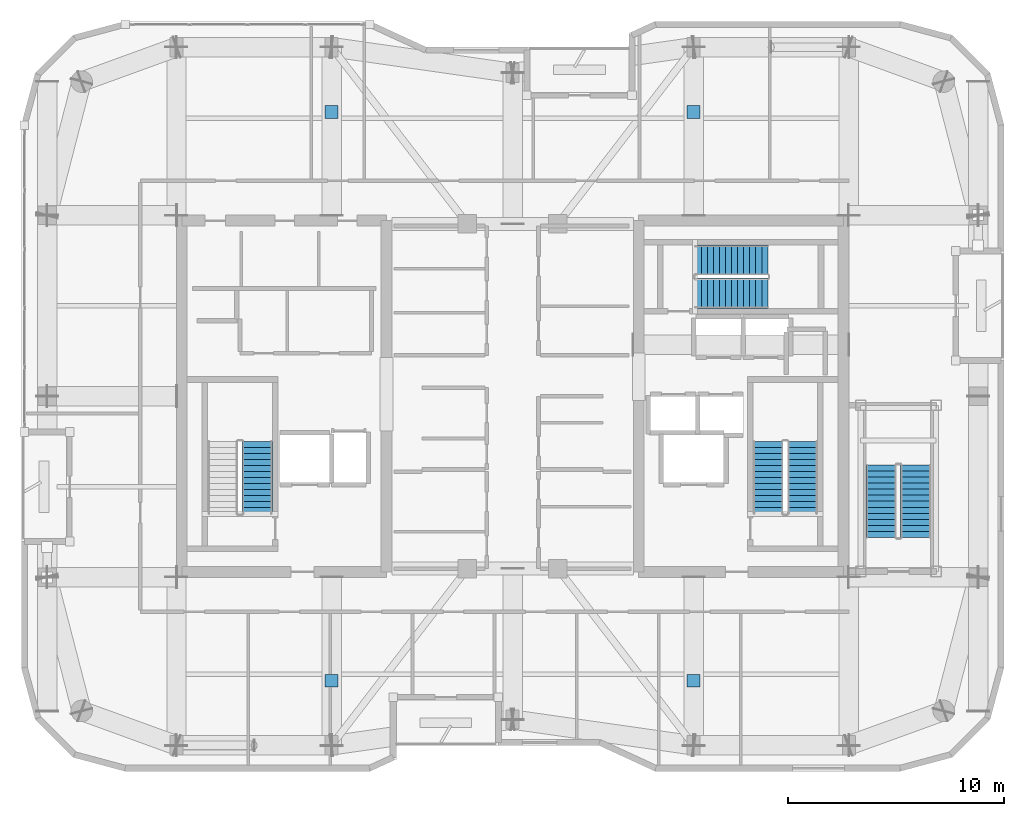
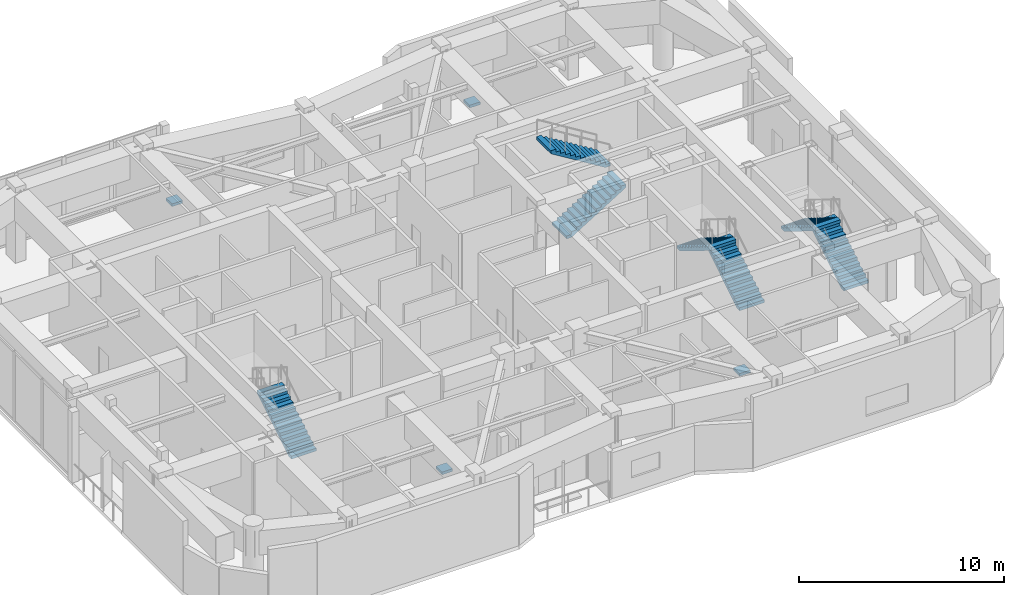
# One storey, part 15 of 17: 7 stair flights, 4 discrete accessories, 4 elements without a shape of their own.
"""IFC4 building model written with IfcOpenShell, lengths in metres."""

from ifc_helpers import new_model, si_unit, direction, frame, origin, origin_2d, place, context, subcontext, project, spatial, polyline, rectangle, outline, extrude, material, type_object, element, aggregate, save


model = new_model("IFC4")

# Units and contexts
model_context = context("Model", 3, precision=1e-05, world=origin(), true_north=direction((0.0, 1.0)))
body_context = subcontext(model_context, "Body", "Model", "MODEL_VIEW")
ifc_project = project(units=[si_unit("LENGTHUNIT", "METRE"), si_unit("AREAUNIT", "SQUARE_METRE"), si_unit("VOLUMEUNIT", "CUBIC_METRE"), si_unit("PLANEANGLEUNIT", "RADIAN"), si_unit("MASSUNIT", "GRAM", prefix="KILO")], contexts=[model_context])

# Site, building, storey
site_placement = place(None, origin())
site = spatial("IfcSite", under=ifc_project, at=site_placement, CompositionType="ELEMENT")
building_placement = place(site_placement, origin())
building = spatial("IfcBuilding", under=site, at=building_placement, Name="Kiyonajd Concourse Tower", CompositionType="ELEMENT")
storey_placement = place(building_placement, frame((0.0, 0.0, 350.39990234375)))
storey = spatial("IfcBuildingStorey", under=building, at=storey_placement, Name="L88", CompositionType="ELEMENT", Elevation=350.39990234375)

# Stair, stair flight
ifc_material_1 = material(Name="Concrete C40/50", Category="concrete")
stair_type = type_object("IfcStairType", Name="ST-DLG-26R", PredefinedType="HALF_TURN_STAIR", material=ifc_material_1)
stair_1_placement = place(storey_placement, origin())
stair_1 = element("IfcStair", 1, at=stair_1_placement, inside=storey, type_object=stair_type, Name="L88 Protected Exit Stair ST1", PredefinedType="HALF_TURN_STAIR")
stair_flight_type = type_object("IfcStairFlightType", Name="SF-STR-26R", PredefinedType="STRAIGHT", material=ifc_material_1)
stair_flight_1_placement = place(storey_placement, frame((36.14990234375, 30.550048828125, 0.0), z_axis=(0.0, 0.0, 1.0), x_axis=(0.0, 1.0, 0.0)))
stair_flight_1 = element("IfcStairFlight", 2, at=stair_flight_1_placement, type_object=stair_flight_type, Name="ST1 flight 1", NumberOfRisers=13, NumberOfTreads=12, PredefinedType="STRAIGHT", RiserHeight=0.173076923, TreadLength=0.28, context=body_context, shape_type="SweptSolid", body=[
    extrude(outline(polyline([(0.0, 0.0), (0.0, 0.173095703125), (0.280029296875, 0.173095703125), (0.280029296875, 0.34619140625), (0.56005859375, 0.34619140625), (0.56005859375, 0.519287109375), (0.840087890625, 0.519287109375), (0.840087890625, 0.6923828125), (1.1201171875, 0.6923828125), (1.1201171875, 0.865478515625), (1.39990234375, 0.865478515625), (1.39990234375, 1.03857421875), (1.679931640625, 1.03857421875), (1.679931640625, 1.21142578125), (1.9599609375, 1.21142578125), (1.9599609375, 1.384521484375), (2.239990234375, 1.384521484375), (2.239990234375, 1.5576171875), (2.52001953125, 1.5576171875), (2.52001953125, 1.730712890625), (2.800048828125, 1.730712890625), (2.800048828125, 1.90380859375), (3.080078125, 1.90380859375), (3.080078125, 2.076904296875), (3.360107421875, 2.076904296875), (3.360107421875, 2.25), (3.360107421875, 1.900634765625), (0.28515625, 0.0), (0.0, 0.0)])), frame((0.0, 0.699951171875, 0.0), z_axis=(0.0, -1.0, 0.0), x_axis=(1.0, 0.0, 0.0)), (0.0, 0.0, 1.0), 1.39990234375),
])
aggregate(stair_1, [stair_flight_1])

# Stair, stair flights
stair_2_placement = place(storey_placement, origin())
stair_2 = element("IfcStair", 3, at=stair_2_placement, inside=storey, type_object=stair_type, Name="L88 Protected Exit Stair ST2", PredefinedType="HALF_TURN_STAIR")
stair_flight_2_placement = place(storey_placement, frame((61.449951171875, 30.550048828125, 0.0), z_axis=(0.0, 0.0, 1.0), x_axis=(0.0, 1.0, 0.0)))
stair_flight_2 = element("IfcStairFlight", 4, at=stair_flight_2_placement, type_object=stair_flight_type, Name="ST2 flight 1", NumberOfRisers=13, NumberOfTreads=12, PredefinedType="STRAIGHT", RiserHeight=0.173076923, TreadLength=0.28, context=body_context, shape_type="SweptSolid", body=[
    extrude(outline(polyline([(0.0, 0.0), (0.0, 0.173095703125), (0.280029296875, 0.173095703125), (0.280029296875, 0.34619140625), (0.56005859375, 0.34619140625), (0.56005859375, 0.519287109375), (0.840087890625, 0.519287109375), (0.840087890625, 0.6923828125), (1.1201171875, 0.6923828125), (1.1201171875, 0.865478515625), (1.39990234375, 0.865478515625), (1.39990234375, 1.03857421875), (1.679931640625, 1.03857421875), (1.679931640625, 1.21142578125), (1.9599609375, 1.21142578125), (1.9599609375, 1.384521484375), (2.239990234375, 1.384521484375), (2.239990234375, 1.5576171875), (2.52001953125, 1.5576171875), (2.52001953125, 1.730712890625), (2.800048828125, 1.730712890625), (2.800048828125, 1.90380859375), (3.080078125, 1.90380859375), (3.080078125, 2.076904296875), (3.360107421875, 2.076904296875), (3.360107421875, 2.25), (3.360107421875, 1.900634765625), (0.28515625, 0.0), (0.0, 0.0)])), frame((0.0, 0.699951171875, 0.0), z_axis=(0.0, -1.0, 0.0), x_axis=(1.0, 0.0, 0.0)), (0.0, 0.0, 1.0), 1.39990234375),
])
stair_flight_3_placement = place(storey_placement, frame((59.85009765625, 33.909912109375, 2.25), z_axis=(0.0, 0.0, 1.0), x_axis=(0.0, -1.0, 0.0)))
stair_flight_3 = element("IfcStairFlight", 5, at=stair_flight_3_placement, type_object=stair_flight_type, Name="ST2 flight 2", NumberOfRisers=13, NumberOfTreads=12, PredefinedType="STRAIGHT", RiserHeight=0.173076923, TreadLength=0.28, context=body_context, shape_type="SweptSolid", body=[
    extrude(outline(polyline([(0.0, 0.0), (0.0, 0.173095703125), (0.280029296875, 0.173095703125), (0.280029296875, 0.34619140625), (0.56005859375, 0.34619140625), (0.56005859375, 0.519287109375), (0.840087890625, 0.519287109375), (0.840087890625, 0.6923828125), (1.1201171875, 0.6923828125), (1.1201171875, 0.865478515625), (1.39990234375, 0.865478515625), (1.39990234375, 1.03857421875), (1.679931640625, 1.03857421875), (1.679931640625, 1.21142578125), (1.9599609375, 1.21142578125), (1.9599609375, 1.384521484375), (2.239990234375, 1.384521484375), (2.239990234375, 1.5576171875), (2.52001953125, 1.5576171875), (2.52001953125, 1.730712890625), (2.800048828125, 1.730712890625), (2.800048828125, 1.90380859375), (3.080078125, 1.90380859375), (3.080078125, 2.076904296875), (3.360107421875, 2.076904296875), (3.360107421875, 2.25), (3.360107421875, 1.900634765625), (0.28515625, 0.0), (0.0, 0.0)])), frame((0.0, 0.699951171875, 0.0), z_axis=(0.0, -1.0, 0.0), x_axis=(1.0, 0.0, 0.0)), (0.0, 0.0, 1.0), 1.39990234375),
])
aggregate(stair_2, [stair_flight_2, stair_flight_3])

stair_3_placement = place(storey_placement, origin())
stair_3 = element("IfcStair", 6, at=stair_3_placement, inside=storey, type_object=stair_type, Name="L88 Protected Exit Stair ST3", PredefinedType="HALF_TURN_STAIR")
stair_flight_4_placement = place(storey_placement, frame((56.47998046875, 40.780029296875, 0.0), z_axis=(0.0, 0.0, 1.0), x_axis=(1.0, 0.0, 0.0)))
stair_flight_4 = element("IfcStairFlight", 7, at=stair_flight_4_placement, type_object=stair_flight_type, Name="ST3 flight 1", NumberOfRisers=13, NumberOfTreads=12, PredefinedType="STRAIGHT", RiserHeight=0.173076923, TreadLength=0.28, context=body_context, shape_type="SweptSolid", body=[
    extrude(outline(polyline([(0.0, 0.0), (0.0, 0.173095703125), (0.280029296875, 0.173095703125), (0.280029296875, 0.34619140625), (0.56005859375, 0.34619140625), (0.56005859375, 0.519287109375), (0.840087890625, 0.519287109375), (0.840087890625, 0.6923828125), (1.1201171875, 0.6923828125), (1.1201171875, 0.865478515625), (1.39990234375, 0.865478515625), (1.39990234375, 1.03857421875), (1.679931640625, 1.03857421875), (1.679931640625, 1.21142578125), (1.9599609375, 1.21142578125), (1.9599609375, 1.384521484375), (2.239990234375, 1.384521484375), (2.239990234375, 1.5576171875), (2.52001953125, 1.5576171875), (2.52001953125, 1.730712890625), (2.800048828125, 1.730712890625), (2.800048828125, 1.90380859375), (3.080078125, 1.90380859375), (3.080078125, 2.076904296875), (3.360107421875, 2.076904296875), (3.360107421875, 2.25), (3.360107421875, 1.900634765625), (0.28515625, 0.0), (0.0, 0.0)])), frame((0.0, 0.699951171875, 0.0), z_axis=(0.0, -1.0, 0.0), x_axis=(1.0, 0.0, 0.0)), (0.0, 0.0, 1.0), 1.39990234375),
])
stair_flight_5_placement = place(storey_placement, frame((59.840087890625, 42.320068359375, 2.25), z_axis=(0.0, 0.0, 1.0), x_axis=(-1.0, 0.0, 0.0)))
stair_flight_5 = element("IfcStairFlight", 8, at=stair_flight_5_placement, type_object=stair_flight_type, Name="ST3 flight 2", NumberOfRisers=13, NumberOfTreads=12, PredefinedType="STRAIGHT", RiserHeight=0.173076923, TreadLength=0.28, context=body_context, shape_type="SweptSolid", body=[
    extrude(outline(polyline([(0.0, 0.0), (0.0, 0.173095703125), (0.280029296875, 0.173095703125), (0.280029296875, 0.34619140625), (0.56005859375, 0.34619140625), (0.56005859375, 0.519287109375), (0.840087890625, 0.519287109375), (0.840087890625, 0.6923828125), (1.1201171875, 0.6923828125), (1.1201171875, 0.865478515625), (1.39990234375, 0.865478515625), (1.39990234375, 1.03857421875), (1.679931640625, 1.03857421875), (1.679931640625, 1.21142578125), (1.9599609375, 1.21142578125), (1.9599609375, 1.384521484375), (2.239990234375, 1.384521484375), (2.239990234375, 1.5576171875), (2.52001953125, 1.5576171875), (2.52001953125, 1.730712890625), (2.800048828125, 1.730712890625), (2.800048828125, 1.90380859375), (3.080078125, 1.90380859375), (3.080078125, 2.076904296875), (3.360107421875, 2.076904296875), (3.360107421875, 2.25), (3.360107421875, 1.900634765625), (0.28515625, 0.0), (0.0, 0.0)])), frame((0.0, 0.699951171875, 0.0), z_axis=(0.0, -1.0, 0.0), x_axis=(1.0, 0.0, 0.0)), (0.0, 0.0, 1.0), 1.39990234375),
])
aggregate(stair_3, [stair_flight_4, stair_flight_5])

stair_4_placement = place(storey_placement, origin())
stair_4 = element("IfcStair", 9, at=stair_4_placement, inside=storey, type_object=stair_type, Name="L88 East Crown Maintenance Stair ST6", PredefinedType="HALF_TURN_STAIR")
stair_flight_6_placement = place(storey_placement, frame((66.699951171875, 29.449951171875, 0.0), z_axis=(0.0, 0.0, 1.0), x_axis=(0.0, 1.0, 0.0)))
stair_flight_6 = element("IfcStairFlight", 10, at=stair_flight_6_placement, type_object=stair_flight_type, Name="ST6 flight 1", NumberOfRisers=13, NumberOfTreads=12, PredefinedType="STRAIGHT", RiserHeight=0.173076923, TreadLength=0.28, context=body_context, shape_type="SweptSolid", body=[
    extrude(outline(polyline([(0.0, 0.0), (0.0, 0.173095703125), (0.280029296875, 0.173095703125), (0.280029296875, 0.34619140625), (0.56005859375, 0.34619140625), (0.56005859375, 0.519287109375), (0.840087890625, 0.519287109375), (0.840087890625, 0.6923828125), (1.1201171875, 0.6923828125), (1.1201171875, 0.865478515625), (1.39990234375, 0.865478515625), (1.39990234375, 1.03857421875), (1.679931640625, 1.03857421875), (1.679931640625, 1.21142578125), (1.9599609375, 1.21142578125), (1.9599609375, 1.384521484375), (2.239990234375, 1.384521484375), (2.239990234375, 1.5576171875), (2.52001953125, 1.5576171875), (2.52001953125, 1.730712890625), (2.800048828125, 1.730712890625), (2.800048828125, 1.90380859375), (3.080078125, 1.90380859375), (3.080078125, 2.076904296875), (3.360107421875, 2.076904296875), (3.360107421875, 2.25), (3.360107421875, 1.900634765625), (0.28515625, 0.0), (0.0, 0.0)])), frame((0.0, 0.699951171875, 0.0), z_axis=(0.0, -1.0, 0.0), x_axis=(1.0, 0.0, 0.0)), (0.0, 0.0, 1.0), 1.39990234375),
])
stair_flight_7_placement = place(storey_placement, frame((65.10009765625, 32.81005859375, 2.25), z_axis=(0.0, 0.0, 1.0), x_axis=(0.0, -1.0, 0.0)))
stair_flight_7 = element("IfcStairFlight", 11, at=stair_flight_7_placement, type_object=stair_flight_type, Name="ST6 flight 2", NumberOfRisers=13, NumberOfTreads=12, PredefinedType="STRAIGHT", RiserHeight=0.173076923, TreadLength=0.28, context=body_context, shape_type="SweptSolid", body=[
    extrude(outline(polyline([(0.0, 0.0), (0.0, 0.173095703125), (0.280029296875, 0.173095703125), (0.280029296875, 0.34619140625), (0.56005859375, 0.34619140625), (0.56005859375, 0.519287109375), (0.840087890625, 0.519287109375), (0.840087890625, 0.6923828125), (1.1201171875, 0.6923828125), (1.1201171875, 0.865478515625), (1.39990234375, 0.865478515625), (1.39990234375, 1.03857421875), (1.679931640625, 1.03857421875), (1.679931640625, 1.21142578125), (1.9599609375, 1.21142578125), (1.9599609375, 1.384521484375), (2.239990234375, 1.384521484375), (2.239990234375, 1.5576171875), (2.52001953125, 1.5576171875), (2.52001953125, 1.730712890625), (2.800048828125, 1.730712890625), (2.800048828125, 1.90380859375), (3.080078125, 1.90380859375), (3.080078125, 2.076904296875), (3.360107421875, 2.076904296875), (3.360107421875, 2.25), (3.360107421875, 1.900634765625), (0.28515625, 0.0), (0.0, 0.0)])), frame((0.0, 0.699951171875, 0.0), z_axis=(0.0, -1.0, 0.0), x_axis=(1.0, 0.0, 0.0)), (0.0, 0.0, 1.0), 1.39990234375),
])
aggregate(stair_4, [stair_flight_6, stair_flight_7])

# Discrete accessories
ifc_material_2 = material(Name="Steel ASTM A572 Grade 50", Category="steel")
discrete_accessory_type = type_object("IfcDiscreteAccessoryType", Name="DA-BRK-MJ1", PredefinedType="BRACKET", material=ifc_material_2)
for number, where, z_axis, x_axis, name in (
    (12, (39.60009765625, 22.800048828125, 2.59521484375), (0.0, 0.0, 1.0), (1.0, 0.0, 0.0), "L88 Sky Bridge Sliding Bearing MJ1 01"),
    (13, (56.39990234375, 22.800048828125, 2.59521484375), (0.0, 0.0, 1.0), (1.0, 0.0, 0.0), "L88 Sky Bridge Sliding Bearing MJ1 02"),
    (14, (39.60009765625, 49.199951171875, 2.59521484375), (0.0, 0.0, 1.0), (1.0, 0.0, 0.0), "L88 Sky Bridge Sliding Bearing MJ1 03"),
    (15, (56.39990234375, 49.199951171875, 2.59521484375), (0.0, 0.0, 1.0), (1.0, 0.0, 0.0), "L88 Sky Bridge Sliding Bearing MJ1 04"),
):
    element("IfcDiscreteAccessory", number, at=place(storey_placement, frame(where, z_axis=z_axis, x_axis=x_axis)), inside=storey, type_object=discrete_accessory_type, Name=name, PredefinedType="BRACKET", context=body_context, shape_type="SweptSolid", body=[
        extrude(rectangle(XDim=0.60009765625, YDim=0.60009765625, at=origin_2d()), origin(), (0.0, 0.0, 1.0), 0.159912109375),
    ])

save(model, "model.ifc")
